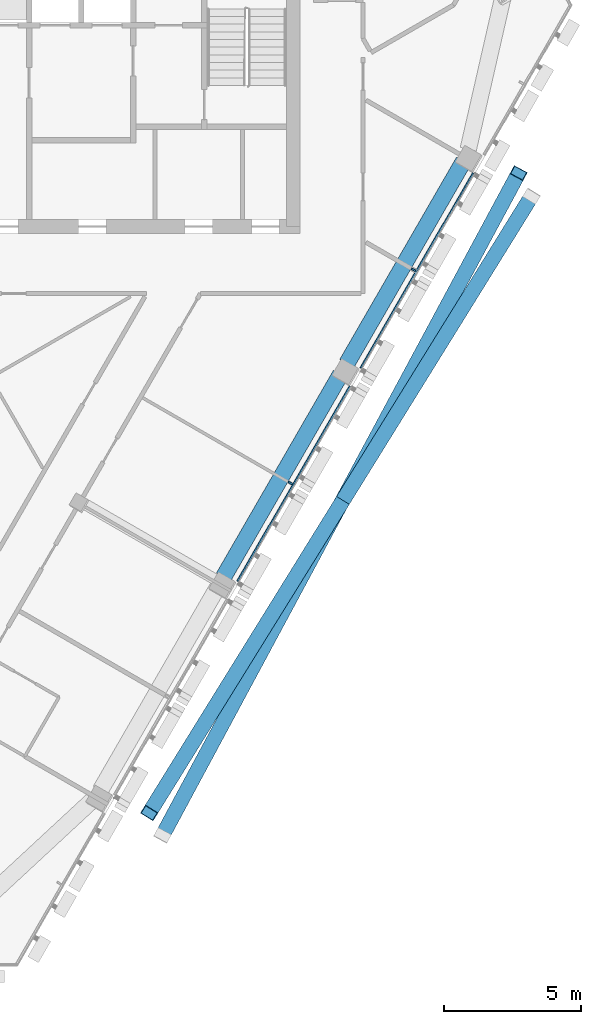
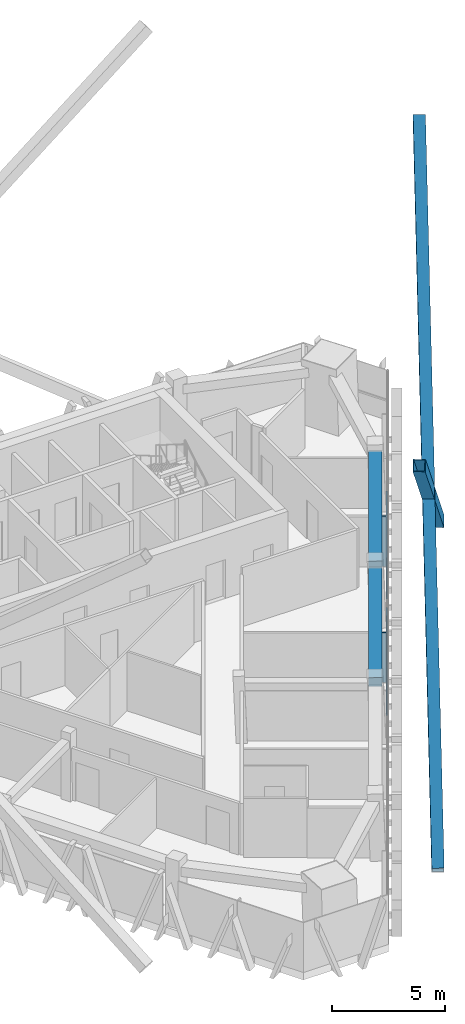
# One storey, part 4 of 12: 8 members, 2 beams, 1 element without a shape of its own.
"""IFC4 building model written with IfcOpenShell, lengths in metres."""

from ifc_helpers import new_model, si_unit, direction, frame, origin, origin_2d, place, context, subcontext, project, spatial, rectangle, hollow_rectangle, extrude, material, layer, layer_set, material_profile, profile_set, type_object, element, aggregate, save


model = new_model("IFC4")

# Units and contexts
model_context = context("Model", 3, precision=1e-05, world=origin(), true_north=direction((0.0, 1.0)))
body_context = subcontext(model_context, "Body", "Model", "MODEL_VIEW")
ifc_project = project(units=[si_unit("LENGTHUNIT", "METRE"), si_unit("AREAUNIT", "SQUARE_METRE"), si_unit("VOLUMEUNIT", "CUBIC_METRE"), si_unit("PLANEANGLEUNIT", "RADIAN"), si_unit("MASSUNIT", "GRAM", prefix="KILO")], contexts=[model_context])

# Site, building, storey
site_placement = place(None, origin())
site = spatial("IfcSite", under=ifc_project, at=site_placement, CompositionType="ELEMENT")
building_placement = place(site_placement, origin())
building = spatial("IfcBuilding", under=site, at=building_placement, Name="Altiplano Prism Tower", CompositionType="ELEMENT")
storey_placement = place(building_placement, frame((0.0, 0.0, 291.39990234375)))
storey = spatial("IfcBuildingStorey", under=building, at=storey_placement, Name="L75", CompositionType="ELEMENT", Elevation=291.39990234375)

# Curtain wall, members
ifc_material_1 = material(Name="Aluminium and glass", Category="aluminium")
ifc_layer = layer(ifc_material_1, 0.280029296875)
ifc_layer_set = layer_set([ifc_layer], Name="Aluminium and glass")
curtain_wall_type = type_object("IfcCurtainWallType", Name="CW1 typical co-living unitised curtain wall", PredefinedType="NOTDEFINED", material=ifc_layer_set)
curtain_wall_placement = place(storey_placement, origin())
curtain_wall = element("IfcCurtainWall", 1, at=curtain_wall_placement, inside=storey, type_object=curtain_wall_type, Name="CW1 curtain wall south-east face L75", PredefinedType="NOTDEFINED")
ifc_material_2 = material(Name="Aluminium", Category="aluminium")
ifc_material_profile_1 = material_profile(ifc_material_2, rectangle(XDim=0.179931640625, YDim=0.06494140625, at=origin_2d()), Name="CW1 mullion 65 x 180")
ifc_profile_set_1 = profile_set([ifc_material_profile_1], Name="Aluminium")
member_type_1 = type_object("IfcMemberType", Name="CW1 mullion 65 x 180", PredefinedType="MULLION", material=ifc_profile_set_1)
member_1_placement = place(storey_placement, frame((97.147216796875, 83.7705078125, 0.0), z_axis=(0.0, 0.0, 1.0), x_axis=(-0.866025410373, 0.499999988588, 0.0)))
member_1 = element("IfcMember", 2, at=member_1_placement, type_object=member_type_1, Name="CW1 mullion", PredefinedType="MULLION", context=body_context, shape_type="SweptSolid", body=[
    extrude(rectangle(XDim=0.179931640625, YDim=0.06494140625, at=origin_2d()), origin(), (0.0, 0.0, 1.0), 2.7001953125),
])
member_2_placement = place(storey_placement, frame((101.647216796875, 91.564697265625, 0.0), z_axis=(0.0, 0.0, 1.0), x_axis=(-0.866025410373, 0.499999988588, 0.0)))
member_2 = element("IfcMember", 3, at=member_2_placement, type_object=member_type_1, Name="CW1 mullion", PredefinedType="MULLION", context=body_context, shape_type="SweptSolid", body=[
    extrude(rectangle(XDim=0.179931640625, YDim=0.06494140625, at=origin_2d()), origin(), (0.0, 0.0, 1.0), 2.7001953125),
])
ifc_material_profile_2 = material_profile(ifc_material_2, rectangle(XDim=0.06005859375, YDim=0.080078125, at=origin_2d()), Name="CW1 transom 80 x 60")
ifc_profile_set_2 = profile_set([ifc_material_profile_2], Name="Aluminium")
member_type_2 = type_object("IfcMemberType", Name="CW1 transom 80 x 60", PredefinedType="USERDEFINED", material=ifc_profile_set_2)
member_3_placement = place(storey_placement, frame((95.2158203125, 80.185302734375, 1.10009765625), z_axis=(0.500010383074, 0.866019409031, 0.0), x_axis=(-0.866019409031, 0.500010383074, 0.0)))
member_3 = element("IfcMember", 4, at=member_3_placement, type_object=member_type_2, Name="CW1 transom", ObjectType="TRANSOM", PredefinedType="USERDEFINED", context=body_context, shape_type="SweptSolid", body=[
    extrude(rectangle(XDim=0.06005859375, YDim=0.080078125, at=origin_2d()), origin(), (0.0, 0.0, 1.0), 8.220458984375),
])
member_4_placement = place(storey_placement, frame((99.7158203125, 87.9794921875, 1.10009765625), z_axis=(0.500010383074, 0.866019409031, 0.0), x_axis=(-0.866019409031, 0.500010383074, 0.0)))
member_4 = element("IfcMember", 5, at=member_4_placement, type_object=member_type_2, Name="CW1 transom", ObjectType="TRANSOM", PredefinedType="USERDEFINED", context=body_context, shape_type="SweptSolid", body=[
    extrude(rectangle(XDim=0.06005859375, YDim=0.080078125, at=origin_2d()), origin(), (0.0, 0.0, 1.0), 8.220458984375),
])
aggregate(curtain_wall, [member_1, member_3, member_2, member_4])

# Beams
ifc_material_3 = material(Name="Concrete C60/75", Category="concrete")
ifc_material_profile_3 = material_profile(ifc_material_3, rectangle(XDim=0.60009765625, YDim=0.5, at=origin_2d()), Name="Edge beam 600x500")
ifc_profile_set_3 = profile_set([ifc_material_profile_3], Name="Concrete C60/75")
beam_type = type_object("IfcBeamType", Name="Edge beam 600x500", PredefinedType="SPANDREL", material=ifc_profile_set_3)
for number, where, z_axis, x_axis, name in (
    (6, (94.70703125, 80.341064453125, 2.9501953125), (0.500007039007, 0.866021339774, 0.0), (-0.866021339774, 0.500007039007, 0.0), "Edge beam P22-P23 L76"),
    (7, (99.20703125, 88.13525390625, 2.9501953125), (0.499994660107, 0.866028486751, 0.0), (-0.866028486751, 0.499994660107, 0.0), "Edge beam P23-P24 L76"),
):
    element("IfcBeam", number, at=place(storey_placement, frame(where, z_axis=z_axis, x_axis=x_axis)), inside=storey, type_object=beam_type, Name=name, PredefinedType="SPANDREL", context=body_context, shape_type="SweptSolid", body=[
        extrude(rectangle(XDim=0.60009765625, YDim=0.5, at=origin_2d()), origin(), (0.0, 0.0, 1.0), 8.5400390625),
    ])

# Members
ifc_material_4 = material(Name="Steel S355", Category="steel")
ifc_material_profile_4 = material_profile(ifc_material_4, hollow_rectangle(XDim=0.550048828125, YDim=0.550048828125, WallThickness=0.030029296875, at=origin_2d()), Name="Mega brace Box 550x550x30")
ifc_profile_set_4 = profile_set([ifc_material_profile_4], Name="Steel S355")
member_type_3 = type_object("IfcMemberType", Name="Mega brace Box 550x550x30", PredefinedType="BRACE", material=ifc_profile_set_4)
member_5_placement = place(storey_placement, frame((92.478271484375, 70.90478515625, -0.7314453125), z_axis=(0.372393511186, 0.692563235706, 0.617801940249), x_axis=(-0.88074972976, 0.473582002959, 0.0)))
element("IfcMember", 8, at=member_5_placement, inside=storey, type_object=member_type_3, Name="Mega brace 8.2.1", PredefinedType="BRACE", context=body_context, shape_type="SweptSolid", body=[
    extrude(hollow_rectangle(XDim=0.550048828125, YDim=0.550048828125, WallThickness=0.030029296875, at=origin_2d()), origin(), (0.0, 0.0, 1.0), 17.451416015625),
])
member_6_placement = place(storey_placement, frame((98.97705078125, 82.990966796875, 10.050048828125), z_axis=(0.372392896237, 0.692568389923, 0.61779653294), x_axis=(-0.880751526039, 0.473578662294, 0.0)))
element("IfcMember", 9, at=member_6_placement, inside=storey, type_object=member_type_3, Name="Mega brace 8.2.2", PredefinedType="BRACE", context=body_context, shape_type="SweptSolid", body=[
    extrude(hollow_rectangle(XDim=0.550048828125, YDim=0.550048828125, WallThickness=0.030029296875, at=origin_2d()), origin(), (0.0, 0.0, 1.0), 17.4814453125),
])
member_7_placement = place(storey_placement, frame((105.954833984375, 94.2470703125, -0.73095703125), z_axis=(-0.40861025017, -0.659143332427, 0.631322208364), x_axis=(0.849936539472, -0.526885071785, 0.0)))
element("IfcMember", 10, at=member_7_placement, inside=storey, type_object=member_type_3, Name="Mega brace 8.2.3", PredefinedType="BRACE", context=body_context, shape_type="SweptSolid", body=[
    extrude(hollow_rectangle(XDim=0.550048828125, YDim=0.550048828125, WallThickness=0.030029296875, at=origin_2d()), origin(), (0.0, 0.0, 1.0), 17.076904296875),
])
member_8_placement = place(storey_placement, frame((98.97705078125, 82.990966796875, 10.050048828125), z_axis=(-0.408610022023, -0.659133591811, 0.631332525733), x_axis=(0.849933184378, -0.526890483965, 0.0)))
element("IfcMember", 11, at=member_8_placement, inside=storey, type_object=member_type_3, Name="Mega brace 8.2.4", PredefinedType="BRACE", context=body_context, shape_type="SweptSolid", body=[
    extrude(hollow_rectangle(XDim=0.550048828125, YDim=0.550048828125, WallThickness=0.030029296875, at=origin_2d()), origin(), (0.0, 0.0, 1.0), 17.106689453125),
])

save(model, "model.ifc")
